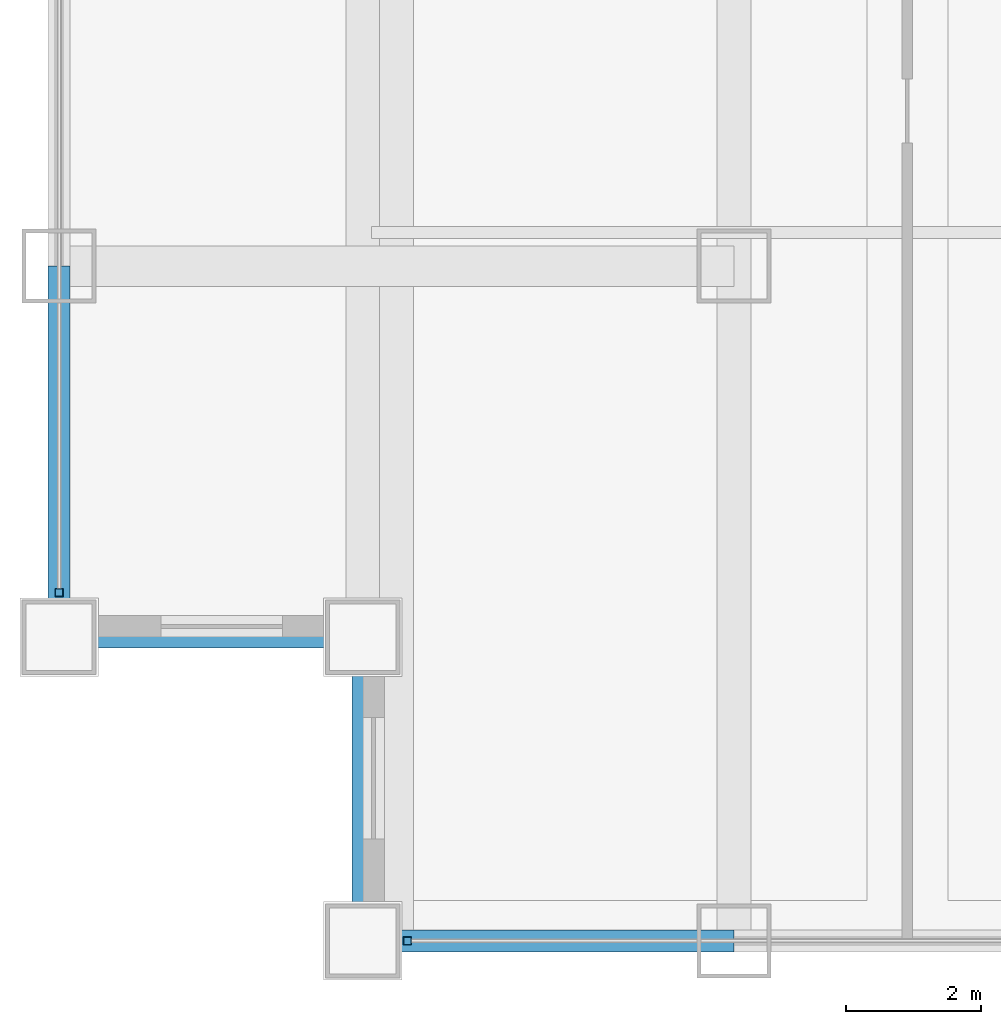
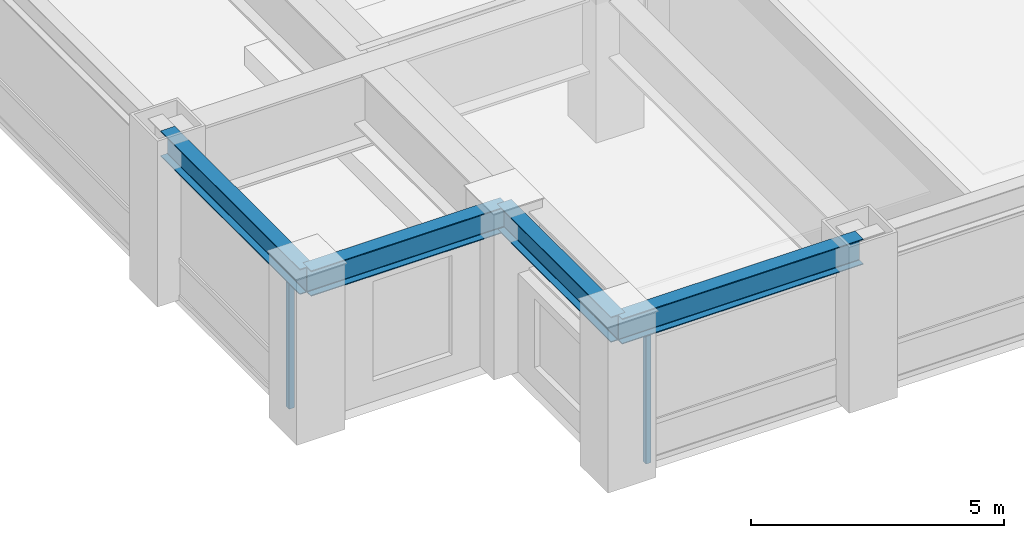
# One storey, part 2 of 26: 4 beams, 2 members, 2 elements without a shape of their own.
"""IFC4 building model written with IfcOpenShell, lengths in metres."""

from ifc_helpers import new_model, si_unit, direction, frame, origin, origin_2d, place, context, subcontext, project, spatial, hollow_rectangle, i_section, extrude, source, transform, mapped, material, material_profile, profile_set, type_object, element, aggregate, save


model = new_model("IFC4")

# Units and contexts
model_context = context("Model", 3, precision=1e-05, world=origin(), true_north=direction((0.0, 1.0)))
body_context = subcontext(model_context, "Body", "Model", "MODEL_VIEW")
ifc_project = project(units=[si_unit("LENGTHUNIT", "METRE"), si_unit("AREAUNIT", "SQUARE_METRE"), si_unit("VOLUMEUNIT", "CUBIC_METRE"), si_unit("PLANEANGLEUNIT", "RADIAN"), si_unit("MASSUNIT", "GRAM", prefix="KILO")], contexts=[model_context])

# Site, building, storey
site_placement = place(None, origin())
site = spatial("IfcSite", under=ifc_project, at=site_placement, CompositionType="ELEMENT")
building_placement = place(site_placement, origin())
building = spatial("IfcBuilding", under=site, at=building_placement, Name="Khorayat Bourse Tower", CompositionType="ELEMENT")
storey_placement = place(building_placement, frame((0.0, 0.0, 207.10009765625)))
storey = spatial("IfcBuildingStorey", under=building, at=storey_placement, Name="L48", CompositionType="ELEMENT", Elevation=207.10009765625)

# Beams
ifc_material_1 = material(Name="Steel ASTM A992 Grade 50", Category="steel")
ifc_material_profile_1 = material_profile(ifc_material_1, i_section(OverallWidth=0.324951171875, OverallDepth=0.615966796875, WebThickness=0.013916015625, FlangeThickness=0.021484375, FilletRadius=0.01611328125, at=origin_2d()), Name="W610X174")
ifc_profile_set_1 = profile_set([ifc_material_profile_1], Name="Steel ASTM A992 Grade 50")
beam_type = type_object("IfcBeamType", Name="BM-SPAN-610", PredefinedType="SPANDREL", material=ifc_profile_set_1)
shared_shape_1 = source(origin(), body_context, "Body", "SweptSolid", [
    extrude(i_section(OverallWidth=0.324951171875, OverallDepth=0.615966796875, WebThickness=0.013916015625, FlangeThickness=0.021484375, FilletRadius=0.01611328125, at=origin_2d()), origin(), (0.0, 0.0, 1.0), 5.5),
])
for number, where, z_axis, x_axis, name in (
    (1, (-25.5, -30.0, 3.471923828125), (1.0, 0.0, 0.0), (0.0, 1.0, 0.0), "L48 BM-SPAN-610 BM-L48-SPN-024"),
    (2, (-30.0, -25.5, 3.471923828125), (0.0, 1.0, 0.0), (-1.0, 0.0, 0.0), "L48 BM-SPAN-610 BM-L48-SPN-061"),
):
    element("IfcBeam", number, at=place(storey_placement, frame(where, z_axis=z_axis, x_axis=x_axis)), inside=storey, type_object=beam_type, Name=name, PredefinedType="SPANDREL", context=body_context, shape_type="MappedRepresentation", body=[
        mapped(shared_shape_1, transform((0.0, 0.0, 0.0), scale=1.0)),
    ])
shared_shape_2 = source(origin(), body_context, "Body", "SweptSolid", [
    extrude(i_section(OverallWidth=0.324951171875, OverallDepth=0.615966796875, WebThickness=0.013916015625, FlangeThickness=0.021484375, FilletRadius=0.01611328125, at=origin_2d()), origin(), (0.0, 0.0, 1.0), 4.5),
])
for number, where, z_axis, x_axis, name in (
    (3, (-30.0, -25.5, 3.471923828125), (1.0, 0.0, 0.0), (0.0, 1.0, 0.0), "L48 BM-SPAN-610 BM-L48-SPN-062"),
    (4, (-25.5, -30.0, 3.471923828125), (0.0, 1.0, 0.0), (-1.0, 0.0, 0.0), "L48 BM-SPAN-610 BM-L48-SPN-063"),
):
    element("IfcBeam", number, at=place(storey_placement, frame(where, z_axis=z_axis, x_axis=x_axis)), inside=storey, type_object=beam_type, Name=name, PredefinedType="SPANDREL", context=body_context, shape_type="MappedRepresentation", body=[
        mapped(shared_shape_2, transform((0.0, 0.0, 0.0), scale=1.0)),
    ])

# Curtain wall, member
ifc_material_2 = material(Name="Aluminium EN AW-6063 T6", Category="aluminium")
curtain_wall_type = type_object("IfcCurtainWallType", Name="CW-SYS-03", PredefinedType="NOTDEFINED", material=ifc_material_2)
curtain_wall_1_placement = place(storey_placement, origin())
curtain_wall_1 = element("IfcCurtainWall", 5, at=curtain_wall_1_placement, inside=storey, type_object=curtain_wall_type, Name="L48 Curtain Wall CW-L48-S1", PredefinedType="NOTDEFINED")
ifc_material_profile_2 = material_profile(ifc_material_2, hollow_rectangle(XDim=0.1201171875, YDim=0.1201171875, WallThickness=0.0048828125, at=origin_2d()), Name="ALU 120x120x5")
ifc_profile_set_2 = profile_set([ifc_material_profile_2], Name="Aluminium EN AW-6063 T6")
member_type = type_object("IfcMemberType", Name="CWM-VERT-120", PredefinedType="MULLION", material=ifc_profile_set_2)
shared_shape_3 = source(origin(), body_context, "Body", "SweptSolid", [
    extrude(hollow_rectangle(XDim=0.1201171875, YDim=0.1201171875, WallThickness=0.0048828125, at=origin_2d()), origin(), (0.0, 0.0, 1.0), 3.1298828125),
])
member_1_placement = place(storey_placement, frame((-24.840087890625, -30.0, 0.0), z_axis=(0.0, 0.0, 1.0), x_axis=(0.0, 1.0, 0.0)))
member_1 = element("IfcMember", 6, at=member_1_placement, type_object=member_type, Name="CW-L48-S1 Vertical Mullion 1", PredefinedType="MULLION", context=body_context, shape_type="MappedRepresentation", body=[
    mapped(shared_shape_3, transform((0.0, 0.0, 0.0), scale=1.0)),
])
aggregate(curtain_wall_1, [member_1])

curtain_wall_2_placement = place(storey_placement, origin())
curtain_wall_2 = element("IfcCurtainWall", 7, at=curtain_wall_2_placement, inside=storey, type_object=curtain_wall_type, Name="L48 Curtain Wall CW-L48-W1", PredefinedType="NOTDEFINED")
member_2_placement = place(storey_placement, frame((-30.0, -24.840087890625, 0.0), z_axis=(0.0, 0.0, 1.0), x_axis=(-1.0, 0.0, 0.0)))
member_2 = element("IfcMember", 8, at=member_2_placement, type_object=member_type, Name="CW-L48-W1 Vertical Mullion 1", PredefinedType="MULLION", context=body_context, shape_type="MappedRepresentation", body=[
    mapped(shared_shape_3, transform((0.0, 0.0, 0.0), scale=1.0)),
])
aggregate(curtain_wall_2, [member_2])

save(model, "model.ifc")
